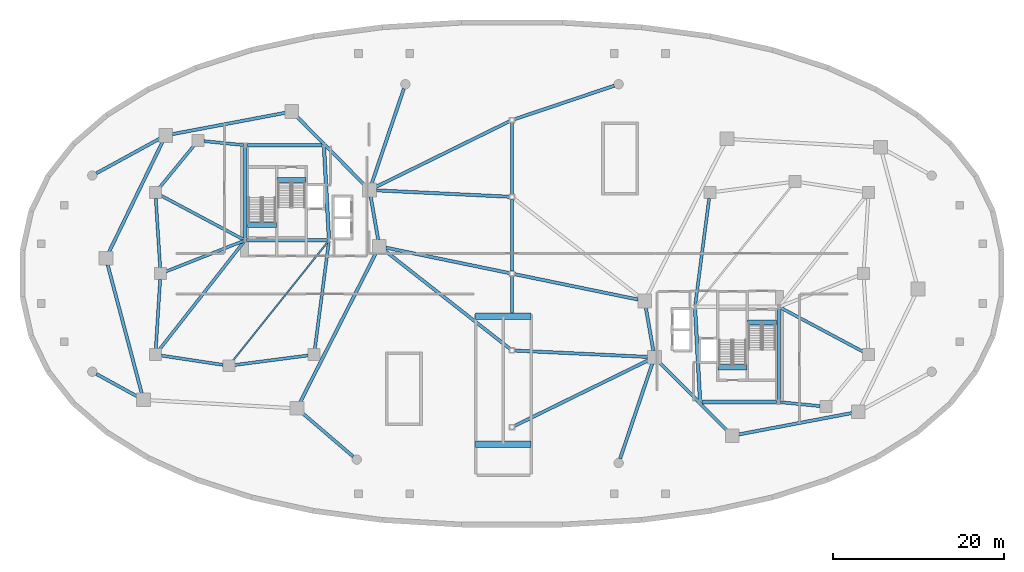
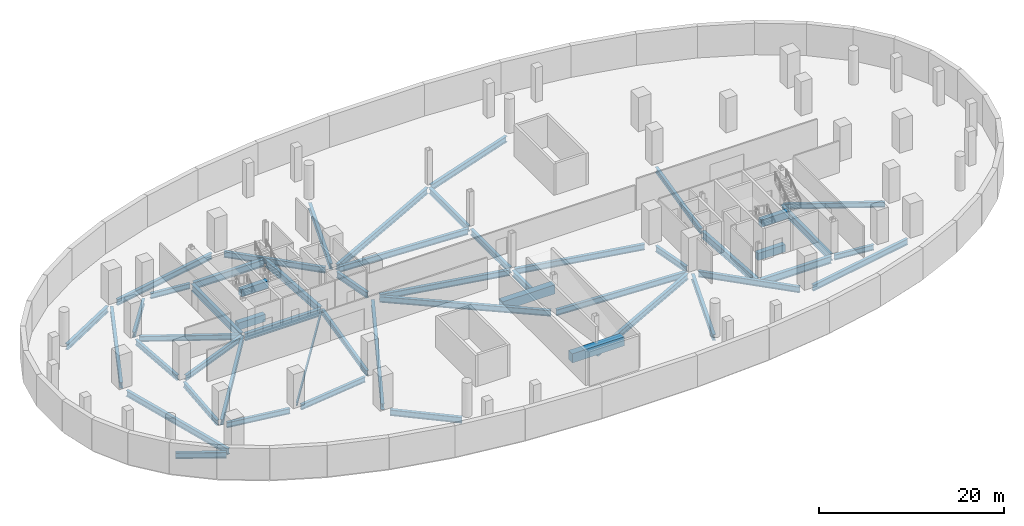
# One storey, part 3 of 10: 52 beams.
"""IFC4 building model written with IfcOpenShell, lengths in metres."""

from ifc_helpers import new_model, si_unit, direction, frame, origin, origin_2d, place, context, subcontext, project, spatial, rectangle, i_section, extrude, material, material_profile, profile_set, type_object, element, save


model = new_model("IFC4")

# Units and contexts
model_context = context("Model", 3, precision=1e-05, world=origin(), true_north=direction((0.0, 1.0)))
body_context = subcontext(model_context, "Body", "Model", "MODEL_VIEW")
ifc_project = project(units=[si_unit("LENGTHUNIT", "METRE"), si_unit("AREAUNIT", "SQUARE_METRE"), si_unit("VOLUMEUNIT", "CUBIC_METRE"), si_unit("PLANEANGLEUNIT", "RADIAN"), si_unit("MASSUNIT", "GRAM", prefix="KILO"), si_unit("THERMODYNAMICTEMPERATUREUNIT", "KELVIN"), si_unit("POWERUNIT", "WATT")], contexts=[model_context])

# Site, building, storey
site_placement = place(None, origin())
site = spatial("IfcSite", under=ifc_project, at=site_placement, CompositionType="ELEMENT")
building_placement = place(site_placement, origin())
building = spatial("IfcBuilding", under=site, at=building_placement, Name="Cundina Bronze Exchange", CompositionType="ELEMENT")
storey_placement = place(building_placement, frame((0.0, 0.0, -4.5)))
storey = spatial("IfcBuildingStorey", under=building, at=storey_placement, Name="B01", CompositionType="ELEMENT", Elevation=-4.5)

# Beams
ifc_material_1 = material(Name="Concrete C60/75", Category="concrete")
ifc_material_profile_1 = material_profile(ifc_material_1, rectangle(XDim=0.60009765625, YDim=0.949951171875, at=origin_2d()), Name="RC600X950", Category="concrete")
ifc_profile_set_1 = profile_set([ifc_material_profile_1], Name="Concrete C60/75")
beam_type_1 = type_object("IfcBeamType", Name="BM-COUP-RC950", PredefinedType="LINTEL", material=ifc_profile_set_1)
beam_1_placement = place(storey_placement, frame((-31.02001953125, 5.719970703125, -0.47509765625), z_axis=(1.0, 0.0, 0.0), x_axis=(0.0, 1.0, 0.0)))
element("IfcBeam", 1, at=beam_1_placement, inside=storey, type_object=beam_type_1, Name="B01 Stair W1 Landing Header Beam", PredefinedType="LINTEL", context=body_context, shape_type="SweptSolid", body=[
    extrude(rectangle(XDim=0.60009765625, YDim=0.949951171875, at=origin_2d()), origin(), (0.0, 0.0, 1.0), 3.39990234375),
])
beam_2_placement = place(storey_placement, frame((-27.56005859375, 10.97998046875, -0.47509765625), z_axis=(1.0, 0.0, 0.0), x_axis=(0.0, 1.0, 0.0)))
element("IfcBeam", 2, at=beam_2_placement, inside=storey, type_object=beam_type_1, Name="B01 Stair W2 Landing Header Beam", PredefinedType="LINTEL", context=body_context, shape_type="SweptSolid", body=[
    extrude(rectangle(XDim=0.60009765625, YDim=0.949951171875, at=origin_2d()), origin(), (0.0, 0.0, 1.0), 3.400146484375),
])
beam_3_placement = place(storey_placement, frame((27.6201171875, -5.719970703125, -0.47509765625), z_axis=(1.0, 0.0, 0.0), x_axis=(0.0, 1.0, 0.0)))
element("IfcBeam", 3, at=beam_3_placement, inside=storey, type_object=beam_type_1, Name="B01 Stair E1 Landing Header Beam", PredefinedType="LINTEL", context=body_context, shape_type="SweptSolid", body=[
    extrude(rectangle(XDim=0.60009765625, YDim=0.949951171875, at=origin_2d()), origin(), (0.0, 0.0, 1.0), 3.39990234375),
])
beam_4_placement = place(storey_placement, frame((24.159912109375, -10.97998046875, -0.47509765625), z_axis=(1.0, 0.0, 0.0), x_axis=(0.0, 1.0, 0.0)))
element("IfcBeam", 4, at=beam_4_placement, inside=storey, type_object=beam_type_1, Name="B01 Stair E2 Landing Header Beam", PredefinedType="LINTEL", context=body_context, shape_type="SweptSolid", body=[
    extrude(rectangle(XDim=0.60009765625, YDim=0.949951171875, at=origin_2d()), origin(), (0.0, 0.0, 1.0), 3.400146484375),
])
ifc_material_2 = material(Name="Concrete C40/50", Category="concrete")
ifc_material_profile_2 = material_profile(ifc_material_2, rectangle(XDim=0.800048828125, YDim=1.199951171875, at=origin_2d()), Name="RC800X1200", Category="concrete")
ifc_profile_set_2 = profile_set([ifc_material_profile_2], Name="Concrete C40/50")
beam_type_2 = type_object("IfcBeamType", Name="BM-GRND-RC1200", PredefinedType="BEAM", material=ifc_profile_set_2)
for number, where, z_axis, x_axis, name in (
    (5, (-4.25, -20.0, 1.64990234375), (1.0, 0.0, 0.0), (0.0, 1.0, 0.0), "B01 Ramp Half-Landing Bearing Beam"),
    (6, (-4.25, -5.0, -0.60009765625), (1.0, 0.0, 0.0), (0.0, 1.0, 0.0), "B01 Ramp Threshold Bearing Beam"),
):
    element("IfcBeam", number, at=place(storey_placement, frame(where, z_axis=z_axis, x_axis=x_axis)), inside=storey, type_object=beam_type_2, Name=name, PredefinedType="BEAM", context=body_context, shape_type="SweptSolid", body=[
        extrude(rectangle(XDim=0.800048828125, YDim=1.199951171875, at=origin_2d()), origin(), (0.0, 0.0, 1.0), 6.5),
    ])
ifc_material_3 = material(Name="Steel ASTM A992 Grade 50", Category="steel")
ifc_material_profile_3 = material_profile(ifc_material_3, i_section(OverallWidth=0.178955078125, OverallDepth=0.409912109375, WebThickness=0.0087890625, FlangeThickness=0.014404296875, FilletRadius=0.010986328125, at=origin_2d()), Name="W16X45", Category="steel")
ifc_profile_set_3 = profile_set([ifc_material_profile_3], Name="Steel ASTM A992 Grade 50")
beam_type_3 = type_object("IfcBeamType", Name="BM-JST-W16", PredefinedType="JOIST", material=ifc_profile_set_3)
beam_5_placement = place(storey_placement, frame((-21.577392578125, 3.740478515625, -0.554931640625), z_axis=(-0.624374458297, -0.781125172957, 0.0), x_axis=(0.781125172957, -0.624374458297, 0.0)))
element("IfcBeam", 7, at=beam_5_placement, inside=storey, type_object=beam_type_3, Name="B01 W Interior Core-to-Ring Joist 2", PredefinedType="JOIST", context=body_context, shape_type="SweptSolid", body=[
    extrude(i_section(OverallWidth=0.178955078125, OverallDepth=0.409912109375, WebThickness=0.0087890625, FlangeThickness=0.014404296875, FilletRadius=0.010986328125, at=origin_2d()), origin(), (0.0, 0.0, 1.0), 17.927001953125),
])
ifc_material_profile_4 = material_profile(ifc_material_3, i_section(OverallWidth=0.35498046875, OverallDepth=0.695068359375, WebThickness=0.015380859375, FlangeThickness=0.02490234375, FilletRadius=0.01806640625, at=origin_2d()), Name="W27X146", Category="steel")
ifc_profile_set_4 = profile_set([ifc_material_profile_4], Name="Steel ASTM A992 Grade 50")
beam_type_4 = type_object("IfcBeamType", Name="BM-RING-W27", PredefinedType="USERDEFINED", material=ifc_profile_set_4)
beam_6_placement = place(storey_placement, frame((-31.452880859375, 15.070068359375, -0.697509765625), z_axis=(-0.995123484374, 0.098636964914, 0.0), x_axis=(-0.098636964914, -0.995123484374, 0.0)))
element("IfcBeam", 8, at=beam_6_placement, inside=storey, type_object=beam_type_4, Name="B01 W Inner Structural Ring Girder 01", ObjectType="GIRDER", PredefinedType="USERDEFINED", context=body_context, shape_type="SweptSolid", body=[
    extrude(i_section(OverallWidth=0.35498046875, OverallDepth=0.695068359375, WebThickness=0.015380859375, FlangeThickness=0.02490234375, FilletRadius=0.01806640625, at=origin_2d()), origin(), (0.0, 0.0, 1.0), 4.685546875),
])
beam_7_placement = place(storey_placement, frame((-37.236083984375, 15.06787109375, -0.697509765625), z_axis=(-0.633941925234, -0.773380653644, 0.0), x_axis=(0.773380653644, -0.633941925234, 0.0)))
element("IfcBeam", 9, at=beam_7_placement, inside=storey, type_object=beam_type_4, Name="B01 W Inner Structural Ring Girder 02", ObjectType="GIRDER", PredefinedType="USERDEFINED", context=body_context, shape_type="SweptSolid", body=[
    extrude(i_section(OverallWidth=0.35498046875, OverallDepth=0.695068359375, WebThickness=0.015380859375, FlangeThickness=0.02490234375, FilletRadius=0.01806640625, at=origin_2d()), origin(), (0.0, 0.0, 1.0), 6.511474609375),
])
for number, where, z_axis, x_axis, name in (
    (10, (-41.756591796875, 8.8134765625, -0.697509765625), (0.063020359641, -0.998012241544, 0.0), (0.998012241544, 0.063020359641, 0.0), "B01 W Inner Structural Ring Girder 03"),
    (11, (-41.243408203125, -0.6865234375, -0.697509765625), (-0.063020359641, -0.998012241544, 0.0), (0.998012241544, -0.063020359641, 0.0), "B01 W Inner Structural Ring Girder 04"),
):
    element("IfcBeam", number, at=place(storey_placement, frame(where, z_axis=z_axis, x_axis=x_axis)), inside=storey, type_object=beam_type_4, Name=name, ObjectType="GIRDER", PredefinedType="USERDEFINED", context=body_context, shape_type="SweptSolid", body=[
        extrude(i_section(OverallWidth=0.35498046875, OverallDepth=0.695068359375, WebThickness=0.015380859375, FlangeThickness=0.02490234375, FilletRadius=0.01806640625, at=origin_2d()), origin(), (0.0, 0.0, 1.0), 8.14306640625),
    ])
beam_8_placement = place(storey_placement, frame((-41.11962890625, -9.602783203125, -0.697509765625), z_axis=(0.988763496177, -0.149488289268, 0.0), x_axis=(0.149488289268, 0.988763496177, 0.0)))
element("IfcBeam", 12, at=beam_8_placement, inside=storey, type_object=beam_type_4, Name="B01 W Inner Structural Ring Girder 05", ObjectType="GIRDER", PredefinedType="USERDEFINED", context=body_context, shape_type="SweptSolid", body=[
    extrude(i_section(OverallWidth=0.35498046875, OverallDepth=0.695068359375, WebThickness=0.015380859375, FlangeThickness=0.02490234375, FilletRadius=0.01806640625, at=origin_2d()), origin(), (0.0, 0.0, 1.0), 7.321533203125),
])
beam_9_placement = place(storey_placement, frame((-32.517578125, -10.711181640625, -0.697509765625), z_axis=(0.991655975758, 0.128912473185, 0.0), x_axis=(-0.128912473185, 0.991655975758, 0.0)))
element("IfcBeam", 13, at=beam_9_placement, inside=storey, type_object=beam_type_4, Name="B01 W Inner Structural Ring Girder 06", ObjectType="GIRDER", PredefinedType="USERDEFINED", context=body_context, shape_type="SweptSolid", body=[
    extrude(i_section(OverallWidth=0.35498046875, OverallDepth=0.695068359375, WebThickness=0.015380859375, FlangeThickness=0.02490234375, FilletRadius=0.01806640625, at=origin_2d()), origin(), (0.0, 0.0, 1.0), 8.7080078125),
])
beam_10_placement = place(storey_placement, frame((-23.11083984375, -8.81787109375, -0.697509765625), z_axis=(0.129498776905, 0.991579581668, 0.0), x_axis=(-0.991579581668, 0.129498776905, 0.0)))
element("IfcBeam", 14, at=beam_10_placement, inside=storey, type_object=beam_type_4, Name="B01 W Inner Structural Ring Girder 07", ObjectType="GIRDER", PredefinedType="USERDEFINED", context=body_context, shape_type="SweptSolid", body=[
    extrude(i_section(OverallWidth=0.35498046875, OverallDepth=0.695068359375, WebThickness=0.015380859375, FlangeThickness=0.02490234375, FilletRadius=0.01806640625, at=origin_2d()), origin(), (0.0, 0.0, 1.0), 12.621826171875),
])
beam_11_placement = place(storey_placement, frame((-31.48974609375, 3.8251953125, -0.697509765625), z_axis=(-0.930410463214, -0.366519262715, 0.0), x_axis=(0.366519262715, -0.930410463214, 0.0)))
element("IfcBeam", 15, at=beam_11_placement, inside=storey, type_object=beam_type_4, Name="B01 W Core-to-Waist Tie Beam 1", ObjectType="GIRDER", PredefinedType="USERDEFINED", context=body_context, shape_type="SweptSolid", body=[
    extrude(i_section(OverallWidth=0.35498046875, OverallDepth=0.695068359375, WebThickness=0.015380859375, FlangeThickness=0.02490234375, FilletRadius=0.01806640625, at=origin_2d()), origin(), (0.0, 0.0, 1.0), 9.74853515625),
])
beam_12_placement = place(storey_placement, frame((-31.47998046875, 3.99609375, -0.697509765625), z_axis=(-0.882354169055, 0.470585933014, 0.0), x_axis=(-0.470585933014, -0.882354169055, 0.0)))
element("IfcBeam", 16, at=beam_12_placement, inside=storey, type_object=beam_type_4, Name="B01 W Core-to-Waist Tie Beam 2", ObjectType="GIRDER", PredefinedType="USERDEFINED", context=body_context, shape_type="SweptSolid", body=[
    extrude(i_section(OverallWidth=0.35498046875, OverallDepth=0.695068359375, WebThickness=0.015380859375, FlangeThickness=0.02490234375, FilletRadius=0.01806640625, at=origin_2d()), origin(), (0.0, 0.0, 1.0), 11.0078125),
])
beam_13_placement = place(storey_placement, frame((-31.42578125, 3.739501953125, -0.697509765625), z_axis=(-0.616784362929, -0.787132167839, 0.0), x_axis=(0.787132167839, -0.616784362929, 0.0)))
element("IfcBeam", 17, at=beam_13_placement, inside=storey, type_object=beam_type_4, Name="B01 W Core-to-Waist Tie Beam 3", ObjectType="GIRDER", PredefinedType="USERDEFINED", context=body_context, shape_type="SweptSolid", body=[
    extrude(i_section(OverallWidth=0.35498046875, OverallDepth=0.695068359375, WebThickness=0.015380859375, FlangeThickness=0.02490234375, FilletRadius=0.01806640625, at=origin_2d()), origin(), (0.0, 0.0, 1.0), 16.132080078125),
])
beam_14_placement = place(storey_placement, frame((31.452880859375, -15.070068359375, -0.697509765625), z_axis=(0.995123484374, -0.098636964914, 0.0), x_axis=(0.098636964914, 0.995123484374, 0.0)))
element("IfcBeam", 18, at=beam_14_placement, inside=storey, type_object=beam_type_4, Name="B01 E Inner Structural Ring Girder 01", ObjectType="GIRDER", PredefinedType="USERDEFINED", context=body_context, shape_type="SweptSolid", body=[
    extrude(i_section(OverallWidth=0.35498046875, OverallDepth=0.695068359375, WebThickness=0.015380859375, FlangeThickness=0.02490234375, FilletRadius=0.01806640625, at=origin_2d()), origin(), (0.0, 0.0, 1.0), 4.685546875),
])
beam_15_placement = place(storey_placement, frame((23.11083984375, 8.81787109375, -0.697509765625), z_axis=(-0.129498776905, -0.991579581668, 0.0), x_axis=(0.991579581668, -0.129498776905, 0.0)))
element("IfcBeam", 19, at=beam_15_placement, inside=storey, type_object=beam_type_4, Name="B01 E Inner Structural Ring Girder 07", ObjectType="GIRDER", PredefinedType="USERDEFINED", context=body_context, shape_type="SweptSolid", body=[
    extrude(i_section(OverallWidth=0.35498046875, OverallDepth=0.695068359375, WebThickness=0.015380859375, FlangeThickness=0.02490234375, FilletRadius=0.01806640625, at=origin_2d()), origin(), (0.0, 0.0, 1.0), 12.621826171875),
])
beam_16_placement = place(storey_placement, frame((31.47998046875, -3.99609375, -0.697509765625), z_axis=(0.882354169055, -0.470585933014, 0.0), x_axis=(0.470585933014, 0.882354169055, 0.0)))
element("IfcBeam", 20, at=beam_16_placement, inside=storey, type_object=beam_type_4, Name="B01 E Core-to-Waist Tie Beam 2", ObjectType="GIRDER", PredefinedType="USERDEFINED", context=body_context, shape_type="SweptSolid", body=[
    extrude(i_section(OverallWidth=0.35498046875, OverallDepth=0.695068359375, WebThickness=0.015380859375, FlangeThickness=0.02490234375, FilletRadius=0.01806640625, at=origin_2d()), origin(), (0.0, 0.0, 1.0), 11.0078125),
])
ifc_material_profile_5 = material_profile(ifc_material_3, i_section(OverallWidth=0.381103515625, OverallDepth=0.77294921875, WebThickness=0.0166015625, FlangeThickness=0.027099609375, FilletRadius=0.01904296875, at=origin_2d()), Name="W30X173", Category="steel")
ifc_profile_set_5 = profile_set([ifc_material_profile_5], Name="Steel ASTM A992 Grade 50")
beam_type_5 = type_object("IfcBeamType", Name="BM-RING-W30", PredefinedType="USERDEFINED", material=ifc_profile_set_5)
beam_17_placement = place(storey_placement, frame((0.0, -4.6201171875, -0.736572265625), z_axis=(0.0, 1.0, 0.0), x_axis=(-1.0, 0.0, 0.0)))
element("IfcBeam", 21, at=beam_17_placement, inside=storey, type_object=beam_type_5, Name="B01 Concourse Spine Longitudinal Girder 02", ObjectType="GIRDER", PredefinedType="USERDEFINED", context=body_context, shape_type="SweptSolid", body=[
    extrude(i_section(OverallWidth=0.381103515625, OverallDepth=0.77294921875, WebThickness=0.0166015625, FlangeThickness=0.027099609375, FilletRadius=0.01904296875, at=origin_2d()), origin(), (0.0, 0.0, 1.0), 4.33203125),
])
for number, where, z_axis, x_axis, name in (
    (22, (0.0, 0.2880859375, -0.736572265625), (0.0, 1.0, 0.0), (-1.0, 0.0, 0.0), "B01 Concourse Spine Longitudinal Girder 03"),
    (23, (0.0, 9.2880859375, -0.736572265625), (0.0, 1.0, 0.0), (-1.0, 0.0, 0.0), "B01 Concourse Spine Longitudinal Girder 04"),
):
    element("IfcBeam", number, at=place(storey_placement, frame(where, z_axis=z_axis, x_axis=x_axis)), inside=storey, type_object=beam_type_5, Name=name, ObjectType="GIRDER", PredefinedType="USERDEFINED", context=body_context, shape_type="SweptSolid", body=[
        extrude(i_section(OverallWidth=0.381103515625, OverallDepth=0.77294921875, WebThickness=0.0166015625, FlangeThickness=0.027099609375, FilletRadius=0.01904296875, at=origin_2d()), origin(), (0.0, 0.0, 1.0), 8.423828125),
    ])
beam_18_placement = place(storey_placement, frame((-48.727783203125, 11.758056640625, -0.736572265625), z_axis=(0.877507733759, 0.479562485182, 0.0), x_axis=(-0.479562485182, 0.877507733759, 0.0)))
element("IfcBeam", 24, at=beam_18_placement, inside=storey, type_object=beam_type_5, Name="B01 Podium Colonnade Tie Beam 01", ObjectType="GIRDER", PredefinedType="USERDEFINED", context=body_context, shape_type="SweptSolid", body=[
    extrude(i_section(OverallWidth=0.381103515625, OverallDepth=0.77294921875, WebThickness=0.0166015625, FlangeThickness=0.027099609375, FilletRadius=0.01904296875, at=origin_2d()), origin(), (0.0, 0.0, 1.0), 8.474365234375),
])
beam_19_placement = place(storey_placement, frame((-48.728515625, -11.75927734375, -0.736572265625), z_axis=(0.876222443353, -0.481906868351, 0.0), x_axis=(0.481906868351, 0.876222443353, 0.0)))
element("IfcBeam", 25, at=beam_19_placement, inside=storey, type_object=beam_type_5, Name="B01 Podium Colonnade Tie Beam 02", ObjectType="GIRDER", PredefinedType="USERDEFINED", context=body_context, shape_type="SweptSolid", body=[
    extrude(i_section(OverallWidth=0.381103515625, OverallDepth=0.77294921875, WebThickness=0.0166015625, FlangeThickness=0.027099609375, FilletRadius=0.01904296875, at=origin_2d()), origin(), (0.0, 0.0, 1.0), 5.521484375),
])
beam_20_placement = place(storey_placement, frame((-12.672607421875, 21.6904296875, -0.736572265625), z_axis=(-0.320811837352, -0.947142948564, 0.0), x_axis=(0.947142948564, -0.320811837352, 0.0)))
element("IfcBeam", 26, at=beam_20_placement, inside=storey, type_object=beam_type_5, Name="B01 Podium Colonnade Tie Beam 03", ObjectType="GIRDER", PredefinedType="USERDEFINED", context=body_context, shape_type="SweptSolid", body=[
    extrude(i_section(OverallWidth=0.381103515625, OverallDepth=0.77294921875, WebThickness=0.0166015625, FlangeThickness=0.027099609375, FilletRadius=0.01904296875, at=origin_2d()), origin(), (0.0, 0.0, 1.0), 11.765869140625),
])
beam_21_placement = place(storey_placement, frame((11.989990234375, 22.028564453125, -0.736572265625), z_axis=(-0.947926096535, -0.318490369567, 0.0), x_axis=(0.318490369567, -0.947926096535, 0.0)))
element("IfcBeam", 27, at=beam_21_placement, inside=storey, type_object=beam_type_5, Name="B01 Podium Colonnade Tie Beam 04", ObjectType="GIRDER", PredefinedType="USERDEFINED", context=body_context, shape_type="SweptSolid", body=[
    extrude(i_section(OverallWidth=0.381103515625, OverallDepth=0.77294921875, WebThickness=0.0166015625, FlangeThickness=0.027099609375, FilletRadius=0.01904296875, at=origin_2d()), origin(), (0.0, 0.0, 1.0), 12.360595703125),
])
beam_22_placement = place(storey_placement, frame((12.672607421875, -21.6904296875, -0.736572265625), z_axis=(0.320811837352, 0.947142948564, 0.0), x_axis=(-0.947142948564, 0.320811837352, 0.0)))
element("IfcBeam", 28, at=beam_22_placement, inside=storey, type_object=beam_type_5, Name="B01 Podium Colonnade Tie Beam 05", ObjectType="GIRDER", PredefinedType="USERDEFINED", context=body_context, shape_type="SweptSolid", body=[
    extrude(i_section(OverallWidth=0.381103515625, OverallDepth=0.77294921875, WebThickness=0.0166015625, FlangeThickness=0.027099609375, FilletRadius=0.01904296875, at=origin_2d()), origin(), (0.0, 0.0, 1.0), 11.765869140625),
])
beam_23_placement = place(storey_placement, frame((-18.6083984375, -21.449951171875, -0.736572265625), z_axis=(-0.759256602365, 0.650791373456, 0.0), x_axis=(-0.650791373456, -0.759256602365, 0.0)))
element("IfcBeam", 29, at=beam_23_placement, inside=storey, type_object=beam_type_5, Name="B01 Podium Colonnade Tie Beam 06", ObjectType="GIRDER", PredefinedType="USERDEFINED", context=body_context, shape_type="SweptSolid", body=[
    extrude(i_section(OverallWidth=0.381103515625, OverallDepth=0.77294921875, WebThickness=0.0166015625, FlangeThickness=0.027099609375, FilletRadius=0.01904296875, at=origin_2d()), origin(), (0.0, 0.0, 1.0), 7.893798828125),
])
beam_24_placement = place(storey_placement, frame((0.258544921875, -17.873046875, -0.736572265625), z_axis=(0.897626935378, 0.44075603783, 0.0), x_axis=(-0.44075603783, 0.897626935378, 0.0)))
element("IfcBeam", 30, at=beam_24_placement, inside=storey, type_object=beam_type_5, Name="B01 Concourse East Span Girder 01", ObjectType="GIRDER", PredefinedType="USERDEFINED", context=body_context, shape_type="SweptSolid", body=[
    extrude(i_section(OverallWidth=0.381103515625, OverallDepth=0.77294921875, WebThickness=0.0166015625, FlangeThickness=0.027099609375, FilletRadius=0.01904296875, at=origin_2d()), origin(), (0.0, 0.0, 1.0), 17.528564453125),
])
beam_25_placement = place(storey_placement, frame((-14.929931640625, 2.713623046875, -0.736572265625), z_axis=(0.786753774413, -0.617266958817, 0.0), x_axis=(0.617266958817, 0.786753774413, 0.0)))
element("IfcBeam", 31, at=beam_25_placement, inside=storey, type_object=beam_type_5, Name="B01 Concourse West Span Girder 02", ObjectType="GIRDER", PredefinedType="USERDEFINED", context=body_context, shape_type="SweptSolid", body=[
    extrude(i_section(OverallWidth=0.381103515625, OverallDepth=0.77294921875, WebThickness=0.0166015625, FlangeThickness=0.027099609375, FilletRadius=0.01904296875, at=origin_2d()), origin(), (0.0, 0.0, 1.0), 18.688720703125),
])
beam_26_placement = place(storey_placement, frame((0.28759765625, -9.013916015625, -0.736572265625), z_axis=(0.998855248542, -0.047835054714, 0.0), x_axis=(0.047835054714, 0.998855248542, 0.0)))
element("IfcBeam", 32, at=beam_26_placement, inside=storey, type_object=beam_type_5, Name="B01 Concourse East Span Girder 02", ObjectType="GIRDER", PredefinedType="USERDEFINED", context=body_context, shape_type="SweptSolid", body=[
    extrude(i_section(OverallWidth=0.381103515625, OverallDepth=0.77294921875, WebThickness=0.0166015625, FlangeThickness=0.027099609375, FilletRadius=0.01904296875, at=origin_2d()), origin(), (0.0, 0.0, 1.0), 15.64306640625),
])
for number, where, z_axis, x_axis, name in (
    (33, (-14.7783203125, 3.041259765625, -0.736572265625), (0.979475533682, -0.201563089177, 0.0), (0.201563089177, 0.979475533682, 0.0), "B01 Concourse West Span Girder 03"),
    (34, (0.281982421875, -0.05810546875, -0.736572265625), (0.979475533682, -0.201563089177, 0.0), (0.201563089177, 0.979475533682, 0.0), "B01 Concourse East Span Girder 03"),
):
    element("IfcBeam", number, at=place(storey_placement, frame(where, z_axis=z_axis, x_axis=x_axis)), inside=storey, type_object=beam_type_5, Name=name, ObjectType="GIRDER", PredefinedType="USERDEFINED", context=body_context, shape_type="SweptSolid", body=[
        extrude(i_section(OverallWidth=0.381103515625, OverallDepth=0.77294921875, WebThickness=0.0166015625, FlangeThickness=0.027099609375, FilletRadius=0.01904296875, at=origin_2d()), origin(), (0.0, 0.0, 1.0), 14.800048828125),
    ])
beam_27_placement = place(storey_placement, frame((-15.912841796875, 9.76220703125, -0.736572265625), z_axis=(0.998855248542, -0.047835054714, 0.0), x_axis=(0.047835054714, 0.998855248542, 0.0)))
element("IfcBeam", 35, at=beam_27_placement, inside=storey, type_object=beam_type_5, Name="B01 Concourse West Span Girder 04", ObjectType="GIRDER", PredefinedType="USERDEFINED", context=body_context, shape_type="SweptSolid", body=[
    extrude(i_section(OverallWidth=0.381103515625, OverallDepth=0.77294921875, WebThickness=0.0166015625, FlangeThickness=0.027099609375, FilletRadius=0.01904296875, at=origin_2d()), origin(), (0.0, 0.0, 1.0), 15.64306640625),
])
beam_28_placement = place(storey_placement, frame((-15.99267578125, 10.147216796875, -0.736572265625), z_axis=(0.897626935378, 0.44075603783, 0.0), x_axis=(-0.44075603783, 0.897626935378, 0.0)))
element("IfcBeam", 36, at=beam_28_placement, inside=storey, type_object=beam_type_5, Name="B01 Concourse West Span Girder 05", ObjectType="GIRDER", PredefinedType="USERDEFINED", context=body_context, shape_type="SweptSolid", body=[
    extrude(i_section(OverallWidth=0.381103515625, OverallDepth=0.77294921875, WebThickness=0.0166015625, FlangeThickness=0.027099609375, FilletRadius=0.01904296875, at=origin_2d()), origin(), (0.0, 0.0, 1.0), 17.528564453125),
])
beam_29_placement = place(storey_placement, frame((-15.685302734375, 3.976318359375, -0.736572265625), z_axis=(-0.171642817546, 0.985159247627, 0.0), x_axis=(-0.985159247627, -0.171642817546, 0.0)))
element("IfcBeam", 37, at=beam_29_placement, inside=storey, type_object=beam_type_5, Name="B01 W Podium Ring Girder 00", ObjectType="GIRDER", PredefinedType="USERDEFINED", context=body_context, shape_type="SweptSolid", body=[
    extrude(i_section(OverallWidth=0.381103515625, OverallDepth=0.77294921875, WebThickness=0.0166015625, FlangeThickness=0.027099609375, FilletRadius=0.01904296875, at=origin_2d()), origin(), (0.0, 0.0, 1.0), 5.123291015625),
])
beam_30_placement = place(storey_placement, frame((-17.254150390625, 10.360107421875, -0.736572265625), z_axis=(-0.703229241487, 0.710963173391, 0.0), x_axis=(-0.710963173391, -0.703229241487, 0.0)))
element("IfcBeam", 38, at=beam_30_placement, inside=storey, type_object=beam_type_5, Name="B01 W Podium Ring Girder 02", ObjectType="GIRDER", PredefinedType="USERDEFINED", context=body_context, shape_type="SweptSolid", body=[
    extrude(i_section(OverallWidth=0.381103515625, OverallDepth=0.77294921875, WebThickness=0.0166015625, FlangeThickness=0.027099609375, FilletRadius=0.01904296875, at=origin_2d()), origin(), (0.0, 0.0, 1.0), 11.3642578125),
])
beam_31_placement = place(storey_placement, frame((-26.57421875, 18.853515625, -0.736572265625), z_axis=(-0.982569620145, -0.185894974562, 0.0), x_axis=(0.185894974562, -0.982569620145, 0.0)))
element("IfcBeam", 39, at=beam_31_placement, inside=storey, type_object=beam_type_5, Name="B01 W Podium Ring Girder 04", ObjectType="GIRDER", PredefinedType="USERDEFINED", context=body_context, shape_type="SweptSolid", body=[
    extrude(i_section(OverallWidth=0.381103515625, OverallDepth=0.77294921875, WebThickness=0.0166015625, FlangeThickness=0.027099609375, FilletRadius=0.01904296875, at=origin_2d()), origin(), (0.0, 0.0, 1.0), 13.486572265625),
])
beam_32_placement = place(storey_placement, frame((-40.944580078125, 15.4912109375, -0.736572265625), z_axis=(-0.437200307007, -0.899364159589, 0.0), x_axis=(0.899364159589, -0.437200307007, 0.0)))
element("IfcBeam", 40, at=beam_32_placement, inside=storey, type_object=beam_type_5, Name="B01 W Podium Ring Girder 06", ObjectType="GIRDER", PredefinedType="USERDEFINED", context=body_context, shape_type="SweptSolid", body=[
    extrude(i_section(OverallWidth=0.381103515625, OverallDepth=0.77294921875, WebThickness=0.0166015625, FlangeThickness=0.027099609375, FilletRadius=0.01904296875, at=origin_2d()), origin(), (0.0, 0.0, 1.0), 14.43505859375),
])
beam_33_placement = place(storey_placement, frame((-47.398193359375, 1.038330078125, -0.736572265625), z_axis=(0.256219519418, -0.966618620692, 0.0), x_axis=(0.966618620692, 0.256219519418, 0.0)))
element("IfcBeam", 41, at=beam_33_placement, inside=storey, type_object=beam_type_5, Name="B01 W Podium Ring Girder 08", ObjectType="GIRDER", PredefinedType="USERDEFINED", context=body_context, shape_type="SweptSolid", body=[
    extrude(i_section(OverallWidth=0.381103515625, OverallDepth=0.77294921875, WebThickness=0.0166015625, FlangeThickness=0.027099609375, FilletRadius=0.01904296875, at=origin_2d()), origin(), (0.0, 0.0, 1.0), 15.597412109375),
])
beam_34_placement = place(storey_placement, frame((-24.84326171875, -15.097412109375, -0.736572265625), z_axis=(0.452846100384, 0.891588699663, 0.0), x_axis=(-0.891588699663, 0.452846100384, 0.0)))
element("IfcBeam", 42, at=beam_34_placement, inside=storey, type_object=beam_type_5, Name="B01 W Podium Ring Girder 12", ObjectType="GIRDER", PredefinedType="USERDEFINED", context=body_context, shape_type="SweptSolid", body=[
    extrude(i_section(OverallWidth=0.381103515625, OverallDepth=0.77294921875, WebThickness=0.0166015625, FlangeThickness=0.027099609375, FilletRadius=0.01904296875, at=origin_2d()), origin(), (0.0, 0.0, 1.0), 19.734130859375),
])
beam_35_placement = place(storey_placement, frame((15.685302734375, -3.976318359375, -0.736572265625), z_axis=(0.171642817546, -0.985159247627, 0.0), x_axis=(0.985159247627, 0.171642817546, 0.0)))
element("IfcBeam", 43, at=beam_35_placement, inside=storey, type_object=beam_type_5, Name="B01 E Podium Ring Girder 00", ObjectType="GIRDER", PredefinedType="USERDEFINED", context=body_context, shape_type="SweptSolid", body=[
    extrude(i_section(OverallWidth=0.381103515625, OverallDepth=0.77294921875, WebThickness=0.0166015625, FlangeThickness=0.027099609375, FilletRadius=0.01904296875, at=origin_2d()), origin(), (0.0, 0.0, 1.0), 5.123291015625),
])
beam_36_placement = place(storey_placement, frame((17.254150390625, -10.360107421875, -0.736572265625), z_axis=(0.703229241487, -0.710963173391, 0.0), x_axis=(0.710963173391, 0.703229241487, 0.0)))
element("IfcBeam", 44, at=beam_36_placement, inside=storey, type_object=beam_type_5, Name="B01 E Podium Ring Girder 02", ObjectType="GIRDER", PredefinedType="USERDEFINED", context=body_context, shape_type="SweptSolid", body=[
    extrude(i_section(OverallWidth=0.381103515625, OverallDepth=0.77294921875, WebThickness=0.0166015625, FlangeThickness=0.027099609375, FilletRadius=0.01904296875, at=origin_2d()), origin(), (0.0, 0.0, 1.0), 11.3642578125),
])
beam_37_placement = place(storey_placement, frame((26.57421875, -18.853515625, -0.736572265625), z_axis=(0.982569620145, 0.185894974562, 0.0), x_axis=(-0.185894974562, 0.982569620145, 0.0)))
element("IfcBeam", 45, at=beam_37_placement, inside=storey, type_object=beam_type_5, Name="B01 E Podium Ring Girder 04", ObjectType="GIRDER", PredefinedType="USERDEFINED", context=body_context, shape_type="SweptSolid", body=[
    extrude(i_section(OverallWidth=0.381103515625, OverallDepth=0.77294921875, WebThickness=0.0166015625, FlangeThickness=0.027099609375, FilletRadius=0.01904296875, at=origin_2d()), origin(), (0.0, 0.0, 1.0), 13.486572265625),
])
ifc_material_profile_6 = material_profile(ifc_material_3, i_section(OverallWidth=0.41796875, OverallDepth=0.927001953125, WebThickness=0.019287109375, FlangeThickness=0.031982421875, FilletRadius=0.02392578125, at=origin_2d()), Name="W36X231", Category="steel")
ifc_profile_set_6 = profile_set([ifc_material_profile_6], Name="Steel ASTM A992 Grade 50")
beam_type_6 = type_object("IfcBeamType", Name="BM-WRN-W36B", PredefinedType="USERDEFINED", material=ifc_profile_set_6)
beam_38_placement = place(storey_placement, frame((-31.095947265625, 3.89990234375, -0.8134765625), z_axis=(1.0, 0.0, 0.0), x_axis=(0.0, 1.0, 0.0)))
element("IfcBeam", 46, at=beam_38_placement, inside=storey, type_object=beam_type_6, Name="B01 W Core Perimeter Tie Girder 1", ObjectType="GIRDER", PredefinedType="USERDEFINED", context=body_context, shape_type="SweptSolid", body=[
    extrude(i_section(OverallWidth=0.41796875, OverallDepth=0.927001953125, WebThickness=0.019287109375, FlangeThickness=0.031982421875, FilletRadius=0.02392578125, at=origin_2d()), origin(), (0.0, 0.0, 1.0), 9.44189453125),
])
beam_39_placement = place(storey_placement, frame((-21.4609375, 4.103759765625, -0.8134765625), z_axis=(-0.053739193498, 0.998555005537, 0.0), x_axis=(-0.998555005537, -0.053739193498, 0.0)))
element("IfcBeam", 47, at=beam_39_placement, inside=storey, type_object=beam_type_6, Name="B01 W Core Perimeter Tie Girder 2", ObjectType="GIRDER", PredefinedType="USERDEFINED", context=body_context, shape_type="SweptSolid", body=[
    extrude(i_section(OverallWidth=0.41796875, OverallDepth=0.927001953125, WebThickness=0.019287109375, FlangeThickness=0.031982421875, FilletRadius=0.02392578125, at=origin_2d()), origin(), (0.0, 0.0, 1.0), 10.758056640625),
])
beam_40_placement = place(storey_placement, frame((-22.25390625, 15.050048828125, -0.8134765625), z_axis=(-1.0, 0.0, 0.0), x_axis=(0.0, -1.0, 0.0)))
element("IfcBeam", 48, at=beam_40_placement, inside=storey, type_object=beam_type_6, Name="B01 W Core Perimeter Tie Girder 3", ObjectType="GIRDER", PredefinedType="USERDEFINED", context=body_context, shape_type="SweptSolid", body=[
    extrude(i_section(OverallWidth=0.41796875, OverallDepth=0.927001953125, WebThickness=0.019287109375, FlangeThickness=0.031982421875, FilletRadius=0.02392578125, at=origin_2d()), origin(), (0.0, 0.0, 1.0), 8.7919921875),
])
beam_41_placement = place(storey_placement, frame((-31.2509765625, 14.845947265625, -0.8134765625), z_axis=(-0.004477329608, -0.99998997671, 0.0), x_axis=(0.99998997671, -0.004477329608, 0.0)))
element("IfcBeam", 49, at=beam_41_placement, inside=storey, type_object=beam_type_6, Name="B01 W Core Perimeter Tie Girder 4", ObjectType="GIRDER", PredefinedType="USERDEFINED", context=body_context, shape_type="SweptSolid", body=[
    extrude(i_section(OverallWidth=0.41796875, OverallDepth=0.927001953125, WebThickness=0.019287109375, FlangeThickness=0.031982421875, FilletRadius=0.02392578125, at=origin_2d()), origin(), (0.0, 0.0, 1.0), 10.741943359375),
])
beam_42_placement = place(storey_placement, frame((21.4609375, -4.103759765625, -0.8134765625), z_axis=(0.053739193498, -0.998555005537, 0.0), x_axis=(0.998555005537, 0.053739193498, 0.0)))
element("IfcBeam", 50, at=beam_42_placement, inside=storey, type_object=beam_type_6, Name="B01 E Core Perimeter Tie Girder 2", ObjectType="GIRDER", PredefinedType="USERDEFINED", context=body_context, shape_type="SweptSolid", body=[
    extrude(i_section(OverallWidth=0.41796875, OverallDepth=0.927001953125, WebThickness=0.019287109375, FlangeThickness=0.031982421875, FilletRadius=0.02392578125, at=origin_2d()), origin(), (0.0, 0.0, 1.0), 10.758056640625),
])
beam_43_placement = place(storey_placement, frame((22.25390625, -15.050048828125, -0.8134765625), z_axis=(1.0, 0.0, 0.0), x_axis=(0.0, 1.0, 0.0)))
element("IfcBeam", 51, at=beam_43_placement, inside=storey, type_object=beam_type_6, Name="B01 E Core Perimeter Tie Girder 3", ObjectType="GIRDER", PredefinedType="USERDEFINED", context=body_context, shape_type="SweptSolid", body=[
    extrude(i_section(OverallWidth=0.41796875, OverallDepth=0.927001953125, WebThickness=0.019287109375, FlangeThickness=0.031982421875, FilletRadius=0.02392578125, at=origin_2d()), origin(), (0.0, 0.0, 1.0), 8.7919921875),
])
beam_44_placement = place(storey_placement, frame((31.2509765625, -14.845947265625, -0.8134765625), z_axis=(0.004477329608, 0.99998997671, 0.0), x_axis=(-0.99998997671, 0.004477329608, 0.0)))
element("IfcBeam", 52, at=beam_44_placement, inside=storey, type_object=beam_type_6, Name="B01 E Core Perimeter Tie Girder 4", ObjectType="GIRDER", PredefinedType="USERDEFINED", context=body_context, shape_type="SweptSolid", body=[
    extrude(i_section(OverallWidth=0.41796875, OverallDepth=0.927001953125, WebThickness=0.019287109375, FlangeThickness=0.031982421875, FilletRadius=0.02392578125, at=origin_2d()), origin(), (0.0, 0.0, 1.0), 10.741943359375),
])

save(model, "model.ifc")
